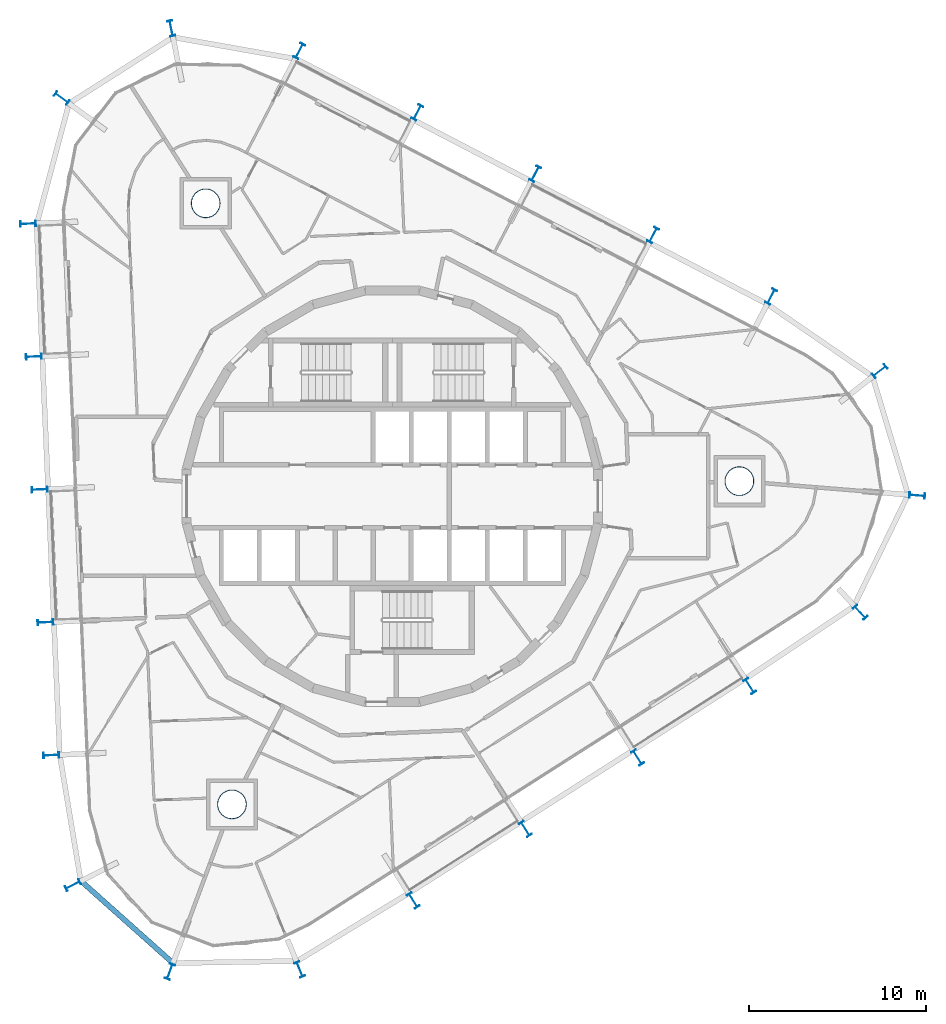
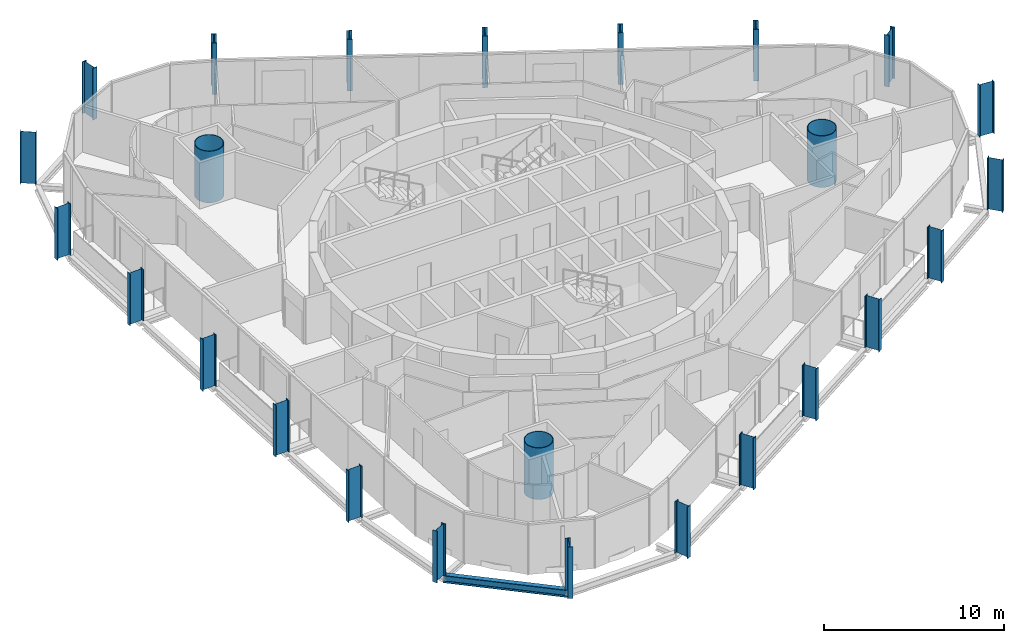
# One storey, part 1 of 18: 25 columns, 1 beam.
"""IFC4 building model written with IfcOpenShell, lengths in metres."""

import ifcopenshell
import ifcopenshell.guid

model = None  # the IFC model being written
_history = None  # IfcOwnerHistory: only IFC2X3 demands one
_inside = {}  # id of a spatial element -> (the spatial element, [elements in it])
_under = {}  # id of a project, library or spatial element -> (it, [spatial elements below it])
_declared = {}  # id of a project -> (the project, [libraries it declares])
_typed = {}  # id of a type object -> (the type object, [elements of that type])
_made_of = {}  # id of a material, layer set ... -> (it, [elements and type objects made of it])


def new_model(schema):
    """Start an empty IFC model of exactly this schema.

    Asked for "IFC4X3", IfcOpenShell would pick the latest addendum, in which some entities
    have other attributes; the version numbers below select the first issue.
    IFC2X3 requires an IfcOwnerHistory on every rooted entity: one is made here for all.
    """
    global model, _history
    if schema == "IFC4X3":
        model = ifcopenshell.file(schema_version=(4, 3, 0, 0))
    else:
        model = ifcopenshell.file(schema=schema)
    _inside.clear()
    _under.clear()
    _declared.clear()
    _typed.clear()
    _made_of.clear()
    _history = None
    if model.schema == "IFC2X3":
        org = make("IfcOrganization", Name="unknown")
        user = make(
            "IfcPersonAndOrganization",
            ThePerson=make("IfcPerson", FamilyName="unknown"),
            TheOrganization=org,
        )
        app = make(
            "IfcApplication",
            ApplicationDeveloper=org,
            Version="unknown",
            ApplicationFullName="unknown",
            ApplicationIdentifier="unknown",
        )
        _history = make(
            "IfcOwnerHistory",
            OwningUser=user,
            OwningApplication=app,
            ChangeAction="ADDED",
            CreationDate=0,
        )
    return model


def make(cls, **values):
    """One entity of the class cls with the attributes given. An attribute that is None is left unset."""
    return model.create_entity(
        cls, **{name: value for name, value in values.items() if value is not None}
    )


def rooted(cls, **values):
    """An entity with a GlobalId (a new one), such as an element, a storey or a relation."""
    return make(cls, GlobalId=ifcopenshell.guid.new(), OwnerHistory=_history, **values)


def si_unit(unit_type, name, prefix=None):
    """IfcSIUnit, for example si_unit("LENGTHUNIT", "METRE", prefix="MILLI")."""
    return make("IfcSIUnit", UnitType=unit_type, Prefix=prefix, Name=name)


def assignment(units):
    """IfcUnitAssignment: the units of a project."""
    return None if units is None else make("IfcUnitAssignment", Units=units)


def point(xyz):
    """IfcCartesianPoint."""
    return None if xyz is None else make("IfcCartesianPoint", Coordinates=xyz)


def direction(xyz):
    """IfcDirection."""
    return None if xyz is None else make("IfcDirection", DirectionRatios=xyz)


def frame(location, z_axis=None, x_axis=None):
    """IfcAxis2Placement3D, a coordinate frame: its origin and axes. An axis left out is left unset."""
    return make(
        "IfcAxis2Placement3D",
        Location=point(location),
        Axis=direction(z_axis),
        RefDirection=direction(x_axis),
    )


def frame_2d(location, x_axis=None):
    """IfcAxis2Placement2D, a coordinate frame in the plane: its origin and x axis."""
    return make(
        "IfcAxis2Placement2D", Location=point(location), RefDirection=direction(x_axis)
    )


def origin():
    """The frame at (0, 0, 0) with its axes left unset."""
    return frame((0.0, 0.0, 0.0))


def origin_2d():
    """The frame at (0, 0) in the plane with its x axis left unset."""
    return frame_2d((0.0, 0.0))


def place(relative_to, where):
    """IfcLocalPlacement: puts the frame where relative to a parent placement (None: the world)."""
    return make(
        "IfcLocalPlacement", PlacementRelTo=relative_to, RelativePlacement=where
    )


def context(
    kind, dimensions, precision=None, world=None, true_north=None, identifier=None
):
    """IfcGeometricRepresentationContext, for example the 3D "Model" context."""
    return make(
        "IfcGeometricRepresentationContext",
        ContextIdentifier=identifier,
        ContextType=kind,
        CoordinateSpaceDimension=dimensions,
        Precision=precision,
        WorldCoordinateSystem=world,
        TrueNorth=true_north,
    )


def subcontext(parent, identifier, kind, view, scale=None):
    """IfcGeometricRepresentationSubContext, for example "Body" below "Model"."""
    return make(
        "IfcGeometricRepresentationSubContext",
        ContextIdentifier=identifier,
        ContextType=kind,
        ParentContext=parent,
        TargetScale=scale,
        TargetView=view,
    )


def project(units=None, contexts=None):
    """IfcProject with its units and contexts."""
    return rooted(
        "IfcProject",
        Name="project",
        RepresentationContexts=contexts,
        UnitsInContext=assignment(units),
    )


def spatial(cls, under=None, at=None, **own):
    """A site, building, storey or space (cls), placed at a placement, below another one or the project."""
    s = rooted(cls, ObjectPlacement=at, **own)
    if under is not None:
        _under.setdefault(under.id(), (under, []))[1].append(s)
    return s


def profile(cls, at=None, kind="AREA", **sizes):
    """A parametric profile (cls). Its sizes go by their IFC names, for example OverallWidth=200.0."""
    return make(cls, ProfileType=kind, Position=at, **sizes)


def hollow_circle(**sizes):
    """IfcCircleHollowProfileDef."""
    return profile("IfcCircleHollowProfileDef", **sizes)


def i_section(**sizes):
    """IfcIShapeProfileDef."""
    return profile("IfcIShapeProfileDef", **sizes)


def extrude(swept, where, along, depth):
    """IfcExtrudedAreaSolid: the profile swept, set in the frame where, extruded along a direction by depth."""
    return make(
        "IfcExtrudedAreaSolid",
        SweptArea=swept,
        Position=where,
        ExtrudedDirection=direction(along),
        Depth=depth,
    )


def shape(context_of_items, identifier, shape_type, items):
    """IfcShapeRepresentation: the items that make up one representation, for example the "Body"."""
    return make(
        "IfcShapeRepresentation",
        ContextOfItems=context_of_items,
        RepresentationIdentifier=identifier,
        RepresentationType=shape_type,
        Items=items,
    )


def material(Name=None, Category=None):
    """IfcMaterial."""
    return make("IfcMaterial", Name=Name, Category=Category)


def material_profile(
    of_material, cross_section, Name=None, Category=None, Priority=None
):
    """IfcMaterialProfile: a cross section and its material."""
    return make(
        "IfcMaterialProfile",
        Name=Name,
        Material=of_material,
        Profile=cross_section,
        Priority=Priority,
        Category=Category,
    )


def profile_set(profiles, Name=None, composite=None):
    """IfcMaterialProfileSet."""
    return make(
        "IfcMaterialProfileSet",
        Name=Name,
        MaterialProfiles=profiles,
        CompositeProfile=composite,
    )


def made_of(thing, what):
    """Note that an element or type object is made of a material, layer set ...; save() writes the relation."""
    if what is not None:
        _made_of.setdefault(what.id(), (what, []))[1].append(thing)
    return thing


def type_object(cls, material=None, **own):
    """A type object (cls), such as IfcWallType, which elements share."""
    return made_of(rooted(cls, **own), material)


def element(
    cls,
    number,
    at=None,
    inside=None,
    cuts=None,
    type_object=None,
    material=None,
    context=None,
    identifier="Body",
    shape_type=None,
    held_by="IfcProductDefinitionShape",
    body=None,
    shapes=None,
    **own,
):
    """One element of the class cls, such as IfcWall. Its Tag is "e" and its number.

    at: its placement. inside: the storey or other place that contains it. cuts: it is an
    opening in that element (IfcRelVoidsElement). A single representation is given by context,
    identifier, shape_type and body (its items); several are given by shapes. held_by: the class
    of the entity that holds the representations. save() writes the other relations.
    """
    e = rooted(cls, Tag="e%d" % number, ObjectPlacement=at, **own)
    if body is not None:
        shapes = [shape(context, identifier, shape_type, body)]
    if shapes is not None:
        e.Representation = make(held_by, Representations=shapes)
    if inside is not None:
        _inside.setdefault(inside.id(), (inside, []))[1].append(e)
    if cuts is not None:
        rooted(
            "IfcRelVoidsElement", RelatingBuildingElement=cuts, RelatedOpeningElement=e
        )
    if type_object is not None:
        _typed.setdefault(type_object.id(), (type_object, []))[1].append(e)
    return made_of(e, material)


def aggregate(whole, parts):
    """IfcRelAggregates: a whole, such as a stair, and the parts it consists of."""
    return rooted("IfcRelAggregates", RelatingObject=whole, RelatedObjects=parts)


def save(model, path):
    """Write the relations noted so far, then the file.

    IfcRelAggregates (storeys below a building ...), IfcRelContainedInSpatialStructure (elements
    in a storey), IfcRelDefinesByType, IfcRelAssociatesMaterial and IfcRelDeclares: one each for
    every whole, place, type object, material and project.
    """
    for whole, parts in _under.values():
        aggregate(whole, parts)
    for where, things in _inside.values():
        rooted(
            "IfcRelContainedInSpatialStructure",
            RelatedElements=things,
            RelatingStructure=where,
        )
    for kind, things in _typed.values():
        rooted("IfcRelDefinesByType", RelatedObjects=things, RelatingType=kind)
    for what, things in _made_of.values():
        rooted("IfcRelAssociatesMaterial", RelatedObjects=things, RelatingMaterial=what)
    for by, libraries in _declared.values():
        rooted("IfcRelDeclares", RelatingContext=by, RelatedDefinitions=libraries)
    model.write(path)


model = new_model("IFC4")

# Units and contexts
model_context = context("Model", 3, precision=1e-05, world=origin(), true_north=direction((0.0, 1.0)))
body_context = subcontext(model_context, "Body", "Model", "MODEL_VIEW")
ifc_project = project(units=[si_unit("LENGTHUNIT", "METRE"), si_unit("AREAUNIT", "SQUARE_METRE"), si_unit("VOLUMEUNIT", "CUBIC_METRE"), si_unit("PLANEANGLEUNIT", "RADIAN"), si_unit("MASSUNIT", "GRAM", prefix="KILO")], contexts=[model_context])

# Site, building, storey
site_placement = place(None, origin())
site = spatial("IfcSite", under=ifc_project, at=site_placement, CompositionType="ELEMENT")
building_placement = place(site_placement, origin())
building = spatial("IfcBuilding", under=site, at=building_placement, Name="Spindle Arch Residences", CompositionType="ELEMENT")
storey_placement = place(building_placement, frame((0.0, 0.0, 247.699951171875)))
storey = spatial("IfcBuildingStorey", under=building, at=storey_placement, Name="L63", CompositionType="ELEMENT", Elevation=247.699951171875)

# Columns
ifc_material_1 = material(Name="Steel S460ML, intumescent coating R 240", Category="steel")
ifc_material_profile_1 = material_profile(ifc_material_1, i_section(OverallWidth=0.300048828125, OverallDepth=0.89990234375, WebThickness=0.0185546875, FlangeThickness=0.034912109375, FilletRadius=0.030029296875, at=origin_2d()), Name="HEB 900")
ifc_profile_set_1 = profile_set([ifc_material_profile_1], Name="Steel S460ML, intumescent coating R 240")
column_type_1 = type_object("IfcColumnType", Name="Exoskeleton post HEB 900", PredefinedType="COLUMN", material=ifc_profile_set_1)
for number, where, z_axis, x_axis, name in (
    (1, (13.885986328125, -14.78955078125, -0.3798828125), (0.0, 0.0, 1.0), (-0.843391139633, -0.537300088953, 0.0), "Exoskeleton post 1"),
    (2, (20.23681640625, -10.74365234375, -0.3798828125), (0.0, 0.0, 1.0), (-0.843391139633, -0.537300088953, 0.0), "Exoskeleton post 2"),
    (3, (26.49462890625, -6.569091796875, -0.3798828125), (0.0, 0.0, 1.0), (-0.735346889002, -0.677690897707, 0.0), "Exoskeleton post 3"),
    (4, (29.71728515625, 0.04443359375, -0.3798828125), (0.0, 0.0, 1.0), (-0.080537962999, -0.996751542018, 0.0), "Exoskeleton post 4"),
    (5, (27.598388671875, 7.089599609375, -0.3798828125), (0.0, 0.0, 1.0), (0.617001797175, -0.786961741308, 0.0), "Exoskeleton post 5"),
    (6, (21.449951171875, 11.3076171875, -0.3798828125), (0.0, 0.0, 1.0), (0.887010710334, -0.461748849216, 0.0), "Exoskeleton post 6"),
    (7, (14.770751953125, 14.784423828125, -0.3798828125), (0.0, 0.0, 1.0), (0.887010710334, -0.461748849216, 0.0), "Exoskeleton post 7"),
    (8, (8.09130859375, 18.261474609375, -0.3798828125), (0.0, 0.0, 1.0), (0.887010710334, -0.461748849216, 0.0), "Exoskeleton post 8"),
    (9, (1.412109375, 21.738525390625, -0.3798828125), (0.0, 0.0, 1.0), (0.887010710334, -0.461748849216, 0.0), "Exoskeleton post 9"),
    (10, (-5.26708984375, 25.215576171875, -0.3798828125), (0.0, 0.0, 1.0), (0.887010710334, -0.461748849216, 0.0), "Exoskeleton post 10"),
    (11, (-12.51953125, 26.498046875, -0.3798828125), (0.0, 0.0, 1.0), (0.981152901053, 0.193232980505, 0.0), "Exoskeleton post 11"),
    (12, (-18.724365234375, 22.545166015625, -0.3798828125), (0.0, 0.0, 1.0), (0.589781110017, 0.807563150637, 0.0), "Exoskeleton post 12"),
    (13, (-20.626953125, 15.43017578125, -0.3798828125), (0.0, 0.0, 1.0), (-0.043619010384, 0.999048238041, 0.0), "Exoskeleton post 13"),
    (14, (-20.298583984375, 7.9072265625, -0.3798828125), (0.0, 0.0, 1.0), (-0.043619010384, 0.999048238041, 0.0), "Exoskeleton post 14"),
    (15, (-19.97021484375, 0.38427734375, -0.3798828125), (0.0, 0.0, 1.0), (-0.043619010384, 0.999048238041, 0.0), "Exoskeleton post 15"),
    (16, (-19.6416015625, -7.138671875, -0.3798828125), (0.0, 0.0, 1.0), (-0.043619010384, 0.999048238041, 0.0), "Exoskeleton post 16"),
    (17, (-19.313232421875, -14.66162109375, -0.3798828125), (0.0, 0.0, 1.0), (-0.043619010384, 0.999048238041, 0.0), "Exoskeleton post 17"),
    (18, (-18.089111328125, -22.016357421875, -0.3798828125), (0.0, 0.0, 1.0), (-0.452473836659, 0.89177767809, 0.0), "Exoskeleton post 18"),
    (19, (-12.599365234375, -26.9140625, -0.3798828125), (0.0, 0.0, 1.0), (-0.937400631219, 0.348252863002, 0.0), "Exoskeleton post 19"),
    (20, (-5.243408203125, -26.78857421875, -0.3798828125), (0.0, 0.0, 1.0), (-0.924967647063, -0.380045854978, 0.0), "Exoskeleton post 20"),
    (21, (1.1845703125, -22.88134765625, -0.3798828125), (0.0, 0.0, 1.0), (-0.843391139633, -0.537300088953, 0.0), "Exoskeleton post 21"),
    (22, (7.535400390625, -18.83544921875, -0.3798828125), (0.0, 0.0, 1.0), (-0.843391139633, -0.537300088953, 0.0), "Exoskeleton post 22"),
):
    element("IfcColumn", number, at=place(storey_placement, frame(where, z_axis=z_axis, x_axis=x_axis)), inside=storey, type_object=column_type_1, Name=name, PredefinedType="COLUMN", context=body_context, shape_type="SweptSolid", body=[
        extrude(i_section(OverallWidth=0.300048828125, OverallDepth=0.89990234375, WebThickness=0.0185546875, FlangeThickness=0.034912109375, FilletRadius=0.030029296875, at=origin_2d()), origin(), (0.0, 0.0, 1.0), 3.5),
    ])
ifc_material_2 = material(Name="Concrete C50/60 filled steel tube S460ML, intumescent coating R 240", Category="concrete")
ifc_material_profile_2 = material_profile(ifc_material_2, hollow_circle(Radius=0.824951171875, WallThickness=0.0400390625, at=origin_2d()), Name="CFT D1650x40")
ifc_profile_set_2 = profile_set([ifc_material_profile_2], Name="Concrete C50/60 filled steel tube S460ML, intumescent coating R 240")
column_type_2 = type_object("IfcColumnType", Name="Mega-column CFT D1650x40", PredefinedType="COLUMN", material=ifc_profile_set_2)
for number, where, z_axis, x_axis, name in (
    (23, (19.64990234375, 0.85791015625, -0.3798828125), (0.0, 0.0, 1.0), (1.0, 0.0, 0.0), "Mega-column 1"),
    (24, (-10.568115234375, 16.58837890625, -0.3798828125), (0.0, 0.0, 1.0), (1.0, 0.0, 0.0), "Mega-column 2"),
    (25, (-9.08203125, -17.4462890625, -0.3798828125), (0.0, 0.0, 1.0), (1.0, 0.0, 0.0), "Mega-column 3"),
):
    element("IfcColumn", number, at=place(storey_placement, frame(where, z_axis=z_axis, x_axis=x_axis)), inside=storey, type_object=column_type_2, Name=name, PredefinedType="COLUMN", context=body_context, shape_type="SweptSolid", body=[
        extrude(hollow_circle(Radius=0.824951171875, WallThickness=0.0400390625, at=origin_2d()), origin(), (0.0, 0.0, 1.0), 3.5),
    ])

# Beam
ifc_material_3 = material(Name="Steel S460ML, intumescent coating R 120", Category="steel")
ifc_material_profile_3 = material_profile(ifc_material_3, i_section(OverallWidth=0.300048828125, OverallDepth=0.5, WebThickness=0.014404296875, FlangeThickness=0.028076171875, FilletRadius=0.027099609375, at=origin_2d()), Name="HEB 500")
ifc_profile_set_3 = profile_set([ifc_material_profile_3], Name="Steel S460ML, intumescent coating R 120")
beam_type = type_object("IfcBeamType", Name="Exoskeleton edge beam HEB 500", PredefinedType="BEAM", material=ifc_profile_set_3)
beam_placement = place(storey_placement, frame((-17.67236328125, -21.74462890625, -0.6298828125), z_axis=(0.746176267139, -0.66574843474, 0.0), x_axis=(0.66574843474, 0.746176267139, 0.0)))
element("IfcBeam", 26, at=beam_placement, inside=storey, type_object=beam_type, Name="Exoskeleton edge beam 18", PredefinedType="BEAM", context=body_context, shape_type="SweptSolid", body=[
    extrude(i_section(OverallWidth=0.300048828125, OverallDepth=0.5, WebThickness=0.014404296875, FlangeThickness=0.028076171875, FilletRadius=0.027099609375, at=origin_2d()), origin(), (0.0, 0.0, 1.0), 7.09716796875),
])

save(model, "model.ifc")
